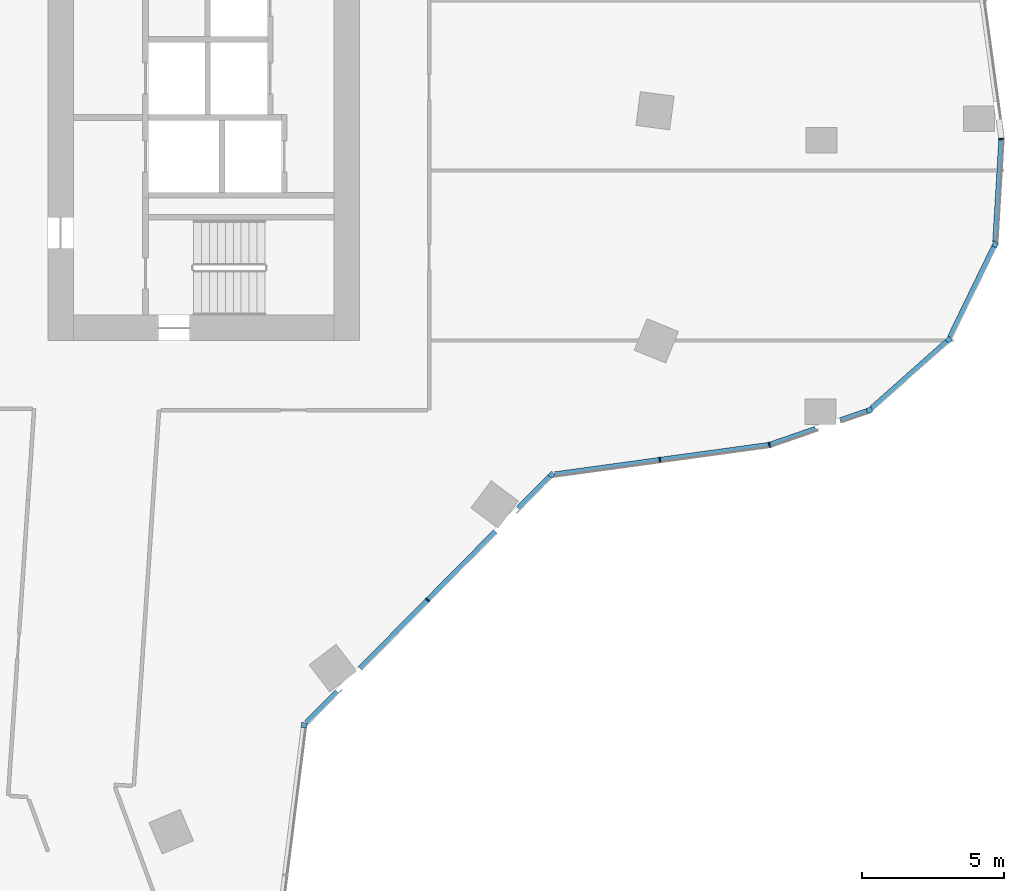
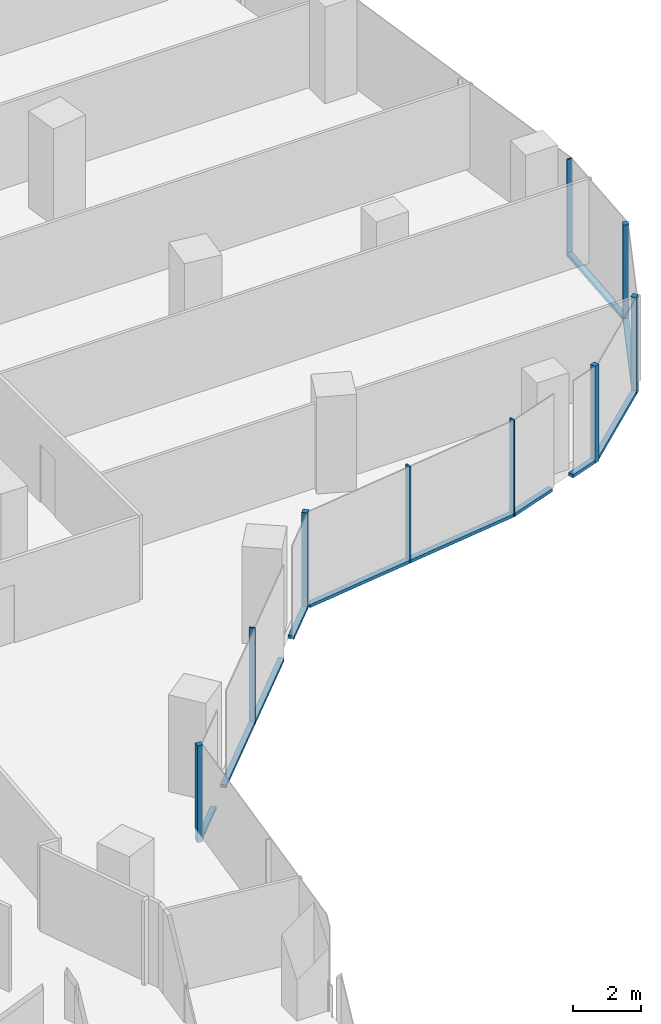
# One storey, part 7 of 27: 18 members, 7 elements without a shape of their own.
"""IFC4 building model written with IfcOpenShell, lengths in metres."""

from ifc_helpers import new_model, si_unit, direction, frame, origin, origin_2d, place, context, subcontext, project, spatial, rectangle, extrude, material, material_profile, profile_set, type_object, element, aggregate, save


model = new_model("IFC4")

# Units and contexts
model_context = context("Model", 3, precision=1e-05, world=origin(), true_north=direction((0.0, 1.0)))
body_context = subcontext(model_context, "Body", "Model", "MODEL_VIEW")
ifc_project = project(units=[si_unit("LENGTHUNIT", "METRE"), si_unit("AREAUNIT", "SQUARE_METRE"), si_unit("VOLUMEUNIT", "CUBIC_METRE"), si_unit("PLANEANGLEUNIT", "RADIAN"), si_unit("MASSUNIT", "GRAM", prefix="KILO")], contexts=[model_context])

# Site, building, storey
site_placement = place(None, origin())
site = spatial("IfcSite", under=ifc_project, at=site_placement, CompositionType="ELEMENT")
building_placement = place(site_placement, origin())
building = spatial("IfcBuilding", under=site, at=building_placement, Name="Orlundy Tower", CompositionType="ELEMENT")
storey_placement = place(building_placement, frame((0.0, 0.0, 195.60009765625)))
storey = spatial("IfcBuildingStorey", under=building, at=storey_placement, Name="L51", CompositionType="ELEMENT", Elevation=195.60009765625)

# Curtain wall, member
ifc_material_1 = material(Name="Aluminium bronze anodised", Category="aluminium")
curtain_wall_type = type_object("IfcCurtainWallType", Name="CW1 wall", PredefinedType="NOTDEFINED", material=ifc_material_1)
curtain_wall_1_placement = place(storey_placement, origin())
curtain_wall_1 = element("IfcCurtainWall", 1, at=curtain_wall_1_placement, inside=storey, type_object=curtain_wall_type, Name="CW1 run 013", PredefinedType="NOTDEFINED")
ifc_material_2 = material(Name="Aluminium bronze anodised", Category="aluminium")
ifc_material_profile_1 = material_profile(ifc_material_2, rectangle(XDim=0.179931640625, YDim=0.179931640625, at=origin_2d()), Name="CW1 corner post 180x180")
ifc_profile_set_1 = profile_set([ifc_material_profile_1], Name="Aluminium bronze anodised")
member_type_1 = type_object("IfcMemberType", Name="CW1 corner post 180x180", PredefinedType="MULLION", material=ifc_profile_set_1)
member_1_placement = place(storey_placement, frame((41.420654296875, -8.605224609375, -0.420166015625), z_axis=(0.0, 0.0, 1.0), x_axis=(0.899441505342, -0.437041163358, 0.0)))
member_1 = element("IfcMember", 2, at=member_1_placement, type_object=member_type_1, Name="CW1 mullion 37", PredefinedType="MULLION", context=body_context, shape_type="SweptSolid", body=[
    extrude(rectangle(XDim=0.179931640625, YDim=0.179931640625, at=origin_2d()), origin(), (0.0, 0.0, 1.0), 3.5),
])

curtain_wall_2_placement = place(storey_placement, origin())
curtain_wall_2 = element("IfcCurtainWall", 3, at=curtain_wall_2_placement, inside=storey, type_object=curtain_wall_type, Name="CW1 run 014", PredefinedType="NOTDEFINED")
member_2_placement = place(storey_placement, frame((39.78515625, -11.971435546875, -0.420166015625), z_axis=(0.0, 0.0, 1.0), x_axis=(0.663760711342, -0.747944996694, 0.0)))
member_2 = element("IfcMember", 4, at=member_2_placement, type_object=member_type_1, Name="CW1 mullion 38", PredefinedType="MULLION", context=body_context, shape_type="SweptSolid", body=[
    extrude(rectangle(XDim=0.179931640625, YDim=0.179931640625, at=origin_2d()), origin(), (0.0, 0.0, 1.0), 3.5),
])

curtain_wall_3_placement = place(storey_placement, origin())
curtain_wall_3 = element("IfcCurtainWall", 5, at=curtain_wall_3_placement, inside=storey, type_object=curtain_wall_type, Name="CW1 run 015", PredefinedType="NOTDEFINED")
member_3_placement = place(storey_placement, frame((36.986328125, -14.455078125, -0.420166015625), z_axis=(0.0, 0.0, 1.0), x_axis=(0.32697157273, -0.945034174317, 0.0)))
member_3 = element("IfcMember", 6, at=member_3_placement, type_object=member_type_1, Name="CW1 mullion 39", PredefinedType="MULLION", context=body_context, shape_type="SweptSolid", body=[
    extrude(rectangle(XDim=0.179931640625, YDim=0.179931640625, at=origin_2d()), origin(), (0.0, 0.0, 1.0), 3.5),
])

curtain_wall_4_placement = place(storey_placement, origin())
curtain_wall_4 = element("IfcCurtainWall", 7, at=curtain_wall_4_placement, inside=storey, type_object=curtain_wall_type, Name="CW1 run 017", PredefinedType="NOTDEFINED")
member_4_placement = place(storey_placement, frame((25.767578125, -16.73388671875, -0.420166015625), z_axis=(0.0, 0.0, 1.0), x_axis=(0.711219038994, -0.702970467781, 0.0)))
member_4 = element("IfcMember", 8, at=member_4_placement, type_object=member_type_1, Name="CW1 mullion 42", PredefinedType="MULLION", context=body_context, shape_type="SweptSolid", body=[
    extrude(rectangle(XDim=0.179931640625, YDim=0.179931640625, at=origin_2d()), origin(), (0.0, 0.0, 1.0), 3.5),
])

curtain_wall_5_placement = place(storey_placement, origin())
curtain_wall_5 = element("IfcCurtainWall", 9, at=curtain_wall_5_placement, inside=storey, type_object=curtain_wall_type, Name="CW1 run 018", PredefinedType="NOTDEFINED")
member_5_placement = place(storey_placement, frame((17.032470703125, -25.571533203125, -0.420166015625), z_axis=(0.0, 0.0, 1.0), x_axis=(0.992189164773, -0.124742379758, 0.0)))
member_5 = element("IfcMember", 10, at=member_5_placement, type_object=member_type_1, Name="CW1 mullion 44", PredefinedType="MULLION", context=body_context, shape_type="SweptSolid", body=[
    extrude(rectangle(XDim=0.179931640625, YDim=0.179931640625, at=origin_2d()), origin(), (0.0, 0.0, 1.0), 3.5),
])
aggregate(curtain_wall_5, [member_5])

curtain_wall_6_placement = place(storey_placement, origin())
curtain_wall_6 = element("IfcCurtainWall", 11, at=curtain_wall_6_placement, inside=storey, type_object=curtain_wall_type, Name="CW1 run 012", PredefinedType="NOTDEFINED")
ifc_material_3 = material(Name="Aluminium bronze anodised", Category="aluminium")
ifc_material_profile_2 = material_profile(ifc_material_3, rectangle(XDim=0.179931640625, YDim=0.050048828125, at=origin_2d()), Name="CW1 mullion 50x180")
ifc_profile_set_2 = profile_set([ifc_material_profile_2], Name="Aluminium bronze anodised")
member_type_2 = type_object("IfcMemberType", Name="CW1 mullion 50x180", PredefinedType="MULLION", material=ifc_profile_set_2)
member_6_placement = place(storey_placement, frame((41.643310546875, -4.87841796875, -0.420166015625), z_axis=(0.0, 0.0, 1.0), x_axis=(0.999257951647, 0.038516828414, 0.0)))
member_6 = element("IfcMember", 12, at=member_6_placement, type_object=member_type_2, Name="CW1 mullion 36", PredefinedType="MULLION", context=body_context, shape_type="SweptSolid", body=[
    extrude(rectangle(XDim=0.179931640625, YDim=0.050048828125, at=origin_2d()), origin(), (0.0, 0.0, 1.0), 3.5),
])

# Curtain wall, members
curtain_wall_7_placement = place(storey_placement, origin())
curtain_wall_7 = element("IfcCurtainWall", 13, at=curtain_wall_7_placement, inside=storey, type_object=curtain_wall_type, Name="CW1 run 016", PredefinedType="NOTDEFINED")
member_7_placement = place(storey_placement, frame((33.4580078125, -15.676025390625, -0.420166015625), z_axis=(0.0, 0.0, 1.0), x_axis=(0.232753873533, -0.972535672536, 0.0)))
member_7 = element("IfcMember", 14, at=member_7_placement, type_object=member_type_2, Name="CW1 mullion 40", PredefinedType="MULLION", context=body_context, shape_type="SweptSolid", body=[
    extrude(rectangle(XDim=0.179931640625, YDim=0.050048828125, at=origin_2d()), origin(), (0.0, 0.0, 1.0), 3.5),
])
member_8_placement = place(storey_placement, frame((29.59326171875, -16.207763671875, -0.420166015625), z_axis=(0.0, 0.0, 1.0), x_axis=(0.13629398476, -0.990668435814, 0.0)))
member_8 = element("IfcMember", 15, at=member_8_placement, type_object=member_type_2, Name="CW1 mullion 41", PredefinedType="MULLION", context=body_context, shape_type="SweptSolid", body=[
    extrude(rectangle(XDim=0.179931640625, YDim=0.050048828125, at=origin_2d()), origin(), (0.0, 0.0, 1.0), 3.5),
])

# Member
member_9_placement = place(storey_placement, frame((21.39990234375, -21.15283203125, -0.420166015625), z_axis=(0.0, 0.0, 1.0), x_axis=(0.711219038994, -0.702970467781, 0.0)))
member_9 = element("IfcMember", 16, at=member_9_placement, type_object=member_type_2, Name="CW1 mullion 43", PredefinedType="MULLION", context=body_context, shape_type="SweptSolid", body=[
    extrude(rectangle(XDim=0.179931640625, YDim=0.050048828125, at=origin_2d()), origin(), (0.0, 0.0, 1.0), 3.5),
])

ifc_material_4 = material(Name="Aluminium bronze anodised", Category="aluminium")
ifc_material_profile_3 = material_profile(ifc_material_4, rectangle(XDim=0.179931640625, YDim=0.1201171875, at=origin_2d()), Name="CW1 transom 180x120")
ifc_profile_set_3 = profile_set([ifc_material_profile_3], Name="Aluminium bronze anodised")
member_type_3 = type_object("IfcMemberType", Name="CW1 transom 180x120", PredefinedType="USERDEFINED", material=ifc_profile_set_3)
member_10_placement = place(storey_placement, frame((41.641845703125, -4.903564453125, -0.360107421875), z_axis=(-0.05963359079, -0.998220333819, 0.0), x_axis=(0.998220333819, -0.05963359079, 0.0)))
member_10 = element("IfcMember", 17, at=member_10_placement, type_object=member_type_3, Name="CW1 transom", ObjectType="TRANSOM", PredefinedType="USERDEFINED", context=body_context, shape_type="SweptSolid", body=[
    extrude(rectangle(XDim=0.179931640625, YDim=0.1201171875, at=origin_2d()), origin(), (0.0, 0.0, 1.0), 3.61083984375),
])

aggregate(curtain_wall_6, [member_6, member_10])

member_11_placement = place(storey_placement, frame((41.38134765625, -8.686279296875, -0.360107421875), z_axis=(-0.437048428858, -0.899437974978, 0.0), x_axis=(0.899437974978, -0.437048428858, 0.0)))
member_11 = element("IfcMember", 18, at=member_11_placement, type_object=member_type_3, Name="CW1 transom", ObjectType="TRANSOM", PredefinedType="USERDEFINED", context=body_context, shape_type="SweptSolid", body=[
    extrude(rectangle(XDim=0.179931640625, YDim=0.1201171875, at=origin_2d()), origin(), (0.0, 0.0, 1.0), 3.554931640625),
])

aggregate(curtain_wall_1, [member_1, member_11])

member_12_placement = place(storey_placement, frame((39.7177734375, -12.03125, -0.360107421875), z_axis=(-0.747924477446, -0.663783832311, 0.0), x_axis=(0.663783832311, -0.747924477446, 0.0)))
member_12 = element("IfcMember", 19, at=member_12_placement, type_object=member_type_3, Name="CW1 transom", ObjectType="TRANSOM", PredefinedType="USERDEFINED", context=body_context, shape_type="SweptSolid", body=[
    extrude(rectangle(XDim=0.179931640625, YDim=0.1201171875, at=origin_2d()), origin(), (0.0, 0.0, 1.0), 3.554443359375),
])

aggregate(curtain_wall_2, [member_2, member_12])

member_13_placement = place(storey_placement, frame((36.9013671875, -14.484619140625, -0.360107421875), z_axis=(-0.9450267743, -0.326992959948, 0.0), x_axis=(0.326992959948, -0.9450267743, 0.0)))
member_13 = element("IfcMember", 20, at=member_13_placement, type_object=member_type_3, Name="CW1 transom", ObjectType="TRANSOM", PredefinedType="USERDEFINED", context=body_context, shape_type="SweptSolid", body=[
    extrude(rectangle(XDim=0.179931640625, YDim=0.1201171875, at=origin_2d()), origin(), (0.0, 0.0, 1.0), 0.998291015625),
])

member_14_placement = place(storey_placement, frame((35.085205078125, -15.113037109375, -0.360107421875), z_axis=(-0.945054480209, -0.326912877441, 0.0), x_axis=(0.326912877441, -0.945054480209, 0.0)))
member_14 = element("IfcMember", 21, at=member_14_placement, type_object=member_type_3, Name="CW1 transom", ObjectType="TRANSOM", PredefinedType="USERDEFINED", context=body_context, shape_type="SweptSolid", body=[
    extrude(rectangle(XDim=0.179931640625, YDim=0.1201171875, at=origin_2d()), origin(), (0.0, 0.0, 1.0), 1.69677734375),
])

aggregate(curtain_wall_3, [member_3, member_13, member_14])

member_15_placement = place(storey_placement, frame((33.43310546875, -15.679443359375, -0.360107421875), z_axis=(-0.990670087353, -0.136281979823, 0.0), x_axis=(0.136281979823, -0.990670087353, 0.0)))
member_15 = element("IfcMember", 22, at=member_15_placement, type_object=member_type_3, Name="CW1 transom", ObjectType="TRANSOM", PredefinedType="USERDEFINED", context=body_context, shape_type="SweptSolid", body=[
    extrude(rectangle(XDim=0.179931640625, YDim=0.1201171875, at=origin_2d()), origin(), (0.0, 0.0, 1.0), 7.624267578125),
])

aggregate(curtain_wall_7, [member_7, member_8, member_15])

member_16_placement = place(storey_placement, frame((25.704345703125, -16.798095703125, -0.360107421875), z_axis=(-0.703065381314, -0.711125213727, 0.0), x_axis=(0.711125213727, -0.703065381314, 0.0)))
member_16 = element("IfcMember", 23, at=member_16_placement, type_object=member_type_3, Name="CW1 transom", ObjectType="TRANSOM", PredefinedType="USERDEFINED", context=body_context, shape_type="SweptSolid", body=[
    extrude(rectangle(XDim=0.179931640625, YDim=0.1201171875, at=origin_2d()), origin(), (0.0, 0.0, 1.0), 1.5751953125),
])

member_17_placement = place(storey_placement, frame((23.7880859375, -18.736572265625, -0.360107421875), z_axis=(-0.702962592662, -0.711226822693, 0.0), x_axis=(0.711226822693, -0.702962592662, 0.0)))
member_17 = element("IfcMember", 24, at=member_17_placement, type_object=member_type_3, Name="CW1 transom", ObjectType="TRANSOM", PredefinedType="USERDEFINED", context=body_context, shape_type="SweptSolid", body=[
    extrude(rectangle(XDim=0.179931640625, YDim=0.1201171875, at=origin_2d()), origin(), (0.0, 0.0, 1.0), 6.794677734375),
])

member_18_placement = place(storey_placement, frame((18.202880859375, -24.387451171875, -0.360107421875), z_axis=(-0.702924460902, -0.711264509353, 0.0), x_axis=(0.711264509353, -0.702924460902, 0.0)))
member_18 = element("IfcMember", 25, at=member_18_placement, type_object=member_type_3, Name="CW1 transom", ObjectType="TRANSOM", PredefinedType="USERDEFINED", context=body_context, shape_type="SweptSolid", body=[
    extrude(rectangle(XDim=0.179931640625, YDim=0.1201171875, at=origin_2d()), origin(), (0.0, 0.0, 1.0), 1.551513671875),
])

aggregate(curtain_wall_4, [member_4, member_9, member_16, member_17, member_18])

save(model, "model.ifc")
